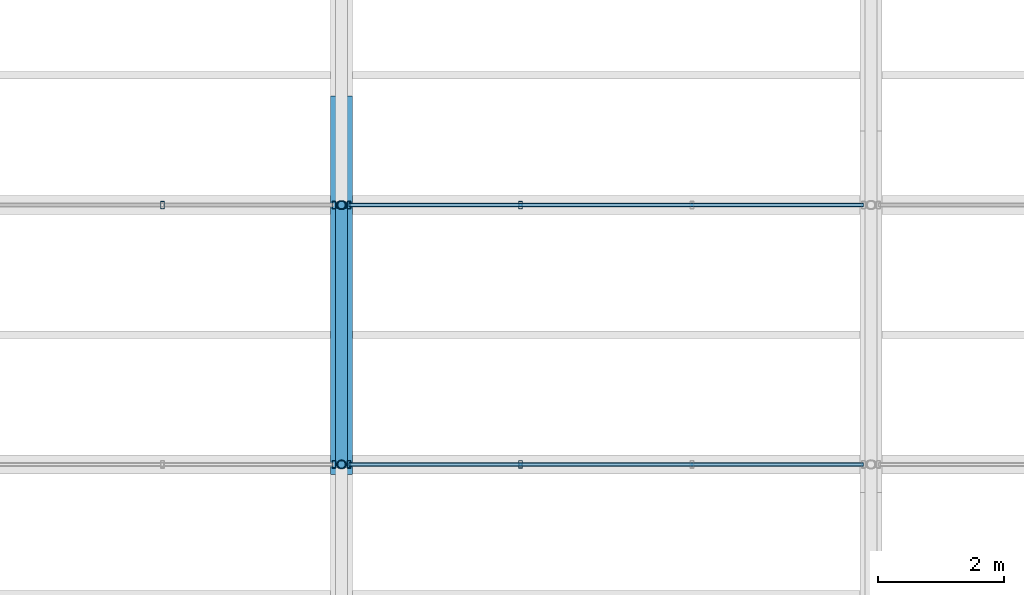
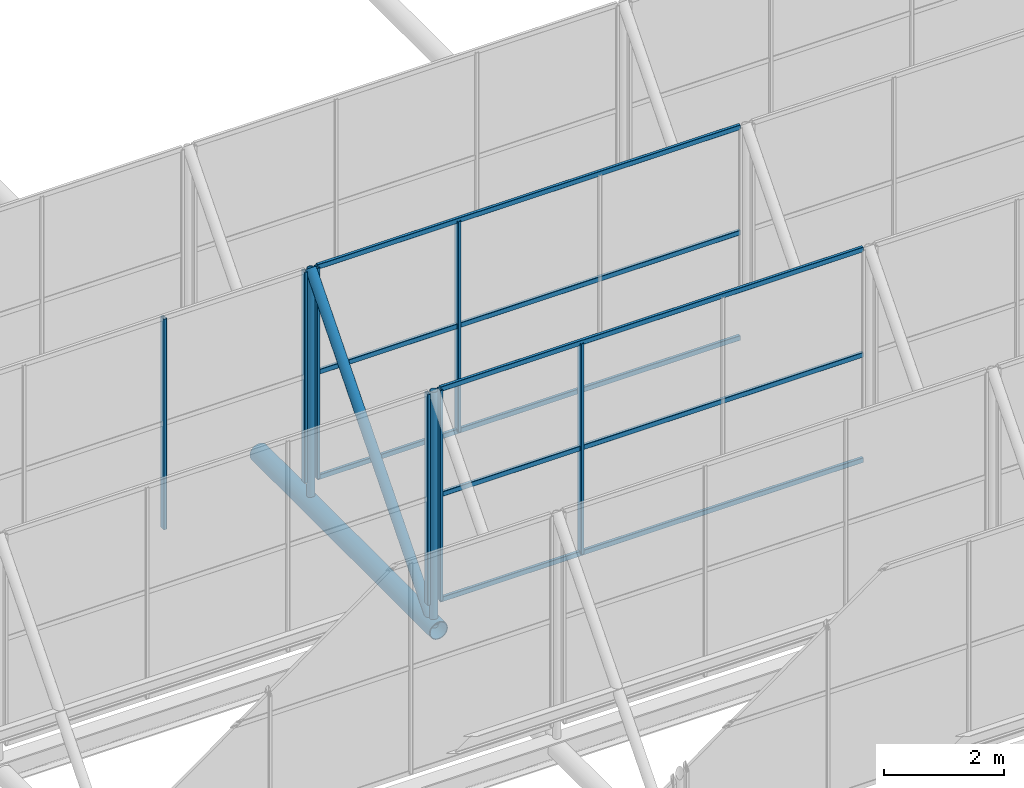
# One storey, part 35 of 77: 17 members, 4 elements without a shape of their own.
"""IFC4 building model written with IfcOpenShell, lengths in metres."""

from ifc_helpers import new_model, si_unit, derived_unit, direction, frame, origin, origin_2d, place, context, subcontext, project, spatial, hollow_rectangle, hollow_circle, extrude, material, material_profile, profile_set, type_object, element, aggregate, save


model = new_model("IFC4")

# Units and contexts
model_context = context("Model", 3, precision=1e-05, world=origin(), true_north=direction((0.0, 1.0)))
body_context = subcontext(model_context, "Body", "Model", "MODEL_VIEW")
ifc_project = project(units=[si_unit("LENGTHUNIT", "METRE"), si_unit("AREAUNIT", "SQUARE_METRE"), si_unit("VOLUMEUNIT", "CUBIC_METRE"), si_unit("PLANEANGLEUNIT", "RADIAN"), si_unit("MASSUNIT", "GRAM", prefix="KILO"), derived_unit("THERMALTRANSMITTANCEUNIT", [(si_unit("MASSUNIT", "GRAM", prefix="KILO"), 1), (si_unit("TIMEUNIT", "SECOND"), -3), (si_unit("THERMODYNAMICTEMPERATUREUNIT", "KELVIN"), -1)])], contexts=[model_context])

# Site, building, storey
site_placement = place(None, origin())
site = spatial("IfcSite", under=ifc_project, at=site_placement, CompositionType="ELEMENT")
building_placement = place(site_placement, origin())
building = spatial("IfcBuilding", under=site, at=building_placement, Name="Kharveza Railside Sports Centre", CompositionType="ELEMENT")
storey_placement = place(building_placement, frame((0.0, 0.0, 17.10009765625)))
storey = spatial("IfcBuildingStorey", under=building, at=storey_placement, Name="L04", CompositionType="ELEMENT", Elevation=17.10009765625)

# Curtain wall, member
ifc_material_1 = material(Name="Low-E solar-control laminated glass", Category="glass")
curtain_wall_type = type_object("IfcCurtainWallType", Name="CW-NL01", PredefinedType="NOTDEFINED", material=ifc_material_1)
curtain_wall_1_placement = place(storey_placement, origin())
curtain_wall_1 = element("IfcCurtainWall", 1, at=curtain_wall_1_placement, inside=storey, type_object=curtain_wall_type, Name="CW-V1NL-5-3", PredefinedType="NOTDEFINED")
ifc_material_2 = material(Name="Anodised aluminium 6063-T6", Category="aluminium")
ifc_material_profile_1 = material_profile(ifc_material_2, hollow_rectangle(XDim=0.06005859375, YDim=0.1201171875, WallThickness=0.0048828125, InnerFilletRadius=0.0048828125, OuterFilletRadius=0.010009765625, at=origin_2d()), Name="RHS 60x120x5.0")
ifc_profile_set_1 = profile_set([ifc_material_profile_1], Name="Anodised aluminium 6063-T6")
member_type_1 = type_object("IfcMemberType", Name="CW-ML05", PredefinedType="MULLION", material=ifc_profile_set_1)
member_1_placement = place(storey_placement, frame((58.679931640625, 56.5712890625, -0.550048828125), z_axis=(0.0, 0.0, 1.0), x_axis=(1.0, 0.0, 0.0)))
member_1 = element("IfcMember", 2, at=member_1_placement, type_object=member_type_1, Name="CW-V1NL-5-3-ML4", PredefinedType="MULLION", context=body_context, shape_type="SweptSolid", body=[
    extrude(hollow_rectangle(XDim=0.06005859375, YDim=0.1201171875, WallThickness=0.0048828125, InnerFilletRadius=0.0048828125, OuterFilletRadius=0.010009765625, at=origin_2d()), origin(), (0.0, 0.0, 1.0), 4.300048828125),
])
aggregate(curtain_wall_1, [member_1])

# Curtain wall, members
curtain_wall_2_placement = place(storey_placement, origin())
curtain_wall_2 = element("IfcCurtainWall", 3, at=curtain_wall_2_placement, inside=storey, type_object=curtain_wall_type, Name="CW-V1NL-5-4", PredefinedType="NOTDEFINED")
member_2_placement = place(storey_placement, frame((58.919921875, 56.5712890625, -0.550048828125), z_axis=(0.0, 0.0, 1.0), x_axis=(1.0, 0.0, 0.0)))
member_2 = element("IfcMember", 4, at=member_2_placement, type_object=member_type_1, Name="CW-V1NL-5-4-ML1", PredefinedType="MULLION", context=body_context, shape_type="SweptSolid", body=[
    extrude(hollow_rectangle(XDim=0.06005859375, YDim=0.1201171875, WallThickness=0.0048828125, InnerFilletRadius=0.0048828125, OuterFilletRadius=0.010009765625, at=origin_2d()), origin(), (0.0, 0.0, 1.0), 4.300048828125),
])
member_3_placement = place(storey_placement, frame((61.639892578125, 56.5712890625, -0.550048828125), z_axis=(0.0, 0.0, 1.0), x_axis=(1.0, 0.0, 0.0)))
member_3 = element("IfcMember", 5, at=member_3_placement, type_object=member_type_1, Name="CW-V1NL-5-4-ML2", PredefinedType="MULLION", context=body_context, shape_type="SweptSolid", body=[
    extrude(hollow_rectangle(XDim=0.06005859375, YDim=0.1201171875, WallThickness=0.0048828125, InnerFilletRadius=0.0048828125, OuterFilletRadius=0.010009765625, at=origin_2d()), origin(), (0.0, 0.0, 1.0), 4.300048828125),
])

curtain_wall_3_placement = place(storey_placement, origin())
curtain_wall_3 = element("IfcCurtainWall", 6, at=curtain_wall_3_placement, inside=storey, type_object=curtain_wall_type, Name="CW-V1NL-6-3", PredefinedType="NOTDEFINED")
member_4_placement = place(storey_placement, frame((55.9599609375, 60.685791015625, -0.550048828125), z_axis=(0.0, 0.0, 1.0), x_axis=(1.0, 0.0, 0.0)))
member_4 = element("IfcMember", 7, at=member_4_placement, type_object=member_type_1, Name="CW-V1NL-6-3-ML3", PredefinedType="MULLION", context=body_context, shape_type="SweptSolid", body=[
    extrude(hollow_rectangle(XDim=0.06005859375, YDim=0.1201171875, WallThickness=0.0048828125, InnerFilletRadius=0.0048828125, OuterFilletRadius=0.010009765625, at=origin_2d()), origin(), (0.0, 0.0, 1.0), 4.300048828125),
])
member_5_placement = place(storey_placement, frame((58.679931640625, 60.685791015625, -0.550048828125), z_axis=(0.0, 0.0, 1.0), x_axis=(1.0, 0.0, 0.0)))
member_5 = element("IfcMember", 8, at=member_5_placement, type_object=member_type_1, Name="CW-V1NL-6-3-ML4", PredefinedType="MULLION", context=body_context, shape_type="SweptSolid", body=[
    extrude(hollow_rectangle(XDim=0.06005859375, YDim=0.1201171875, WallThickness=0.0048828125, InnerFilletRadius=0.0048828125, OuterFilletRadius=0.010009765625, at=origin_2d()), origin(), (0.0, 0.0, 1.0), 4.300048828125),
])
aggregate(curtain_wall_3, [member_4, member_5])

curtain_wall_4_placement = place(storey_placement, origin())
curtain_wall_4 = element("IfcCurtainWall", 9, at=curtain_wall_4_placement, inside=storey, type_object=curtain_wall_type, Name="CW-V1NL-6-4", PredefinedType="NOTDEFINED")
member_6_placement = place(storey_placement, frame((58.919921875, 60.685791015625, -0.550048828125), z_axis=(0.0, 0.0, 1.0), x_axis=(1.0, 0.0, 0.0)))
member_6 = element("IfcMember", 10, at=member_6_placement, type_object=member_type_1, Name="CW-V1NL-6-4-ML1", PredefinedType="MULLION", context=body_context, shape_type="SweptSolid", body=[
    extrude(hollow_rectangle(XDim=0.06005859375, YDim=0.1201171875, WallThickness=0.0048828125, InnerFilletRadius=0.0048828125, OuterFilletRadius=0.010009765625, at=origin_2d()), origin(), (0.0, 0.0, 1.0), 4.300048828125),
])
member_7_placement = place(storey_placement, frame((61.639892578125, 60.685791015625, -0.550048828125), z_axis=(0.0, 0.0, 1.0), x_axis=(1.0, 0.0, 0.0)))
member_7 = element("IfcMember", 11, at=member_7_placement, type_object=member_type_1, Name="CW-V1NL-6-4-ML2", PredefinedType="MULLION", context=body_context, shape_type="SweptSolid", body=[
    extrude(hollow_rectangle(XDim=0.06005859375, YDim=0.1201171875, WallThickness=0.0048828125, InnerFilletRadius=0.0048828125, OuterFilletRadius=0.010009765625, at=origin_2d()), origin(), (0.0, 0.0, 1.0), 4.300048828125),
])

# Member
ifc_material_profile_2 = material_profile(ifc_material_2, hollow_rectangle(XDim=0.06005859375, YDim=0.10009765625, WallThickness=0.00390625, InnerFilletRadius=0.00390625, OuterFilletRadius=0.008056640625, at=origin_2d()), Name="RHS 60x100x4.0")
ifc_profile_set_2 = profile_set([ifc_material_profile_2], Name="Anodised aluminium 6063-T6")
member_type_2 = type_object("IfcMemberType", Name="CW-TR05", PredefinedType="USERDEFINED", material=ifc_profile_set_2)
member_8_placement = place(storey_placement, frame((58.919921875, 56.5712890625, -0.550048828125), z_axis=(1.0, 0.0, 0.0), x_axis=(0.0, 1.0, 0.0)))
member_8 = element("IfcMember", 12, at=member_8_placement, type_object=member_type_2, Name="CW-V1NL-5-4-TR1", ObjectType="TRANSOM", PredefinedType="USERDEFINED", context=body_context, shape_type="SweptSolid", body=[
    extrude(hollow_rectangle(XDim=0.06005859375, YDim=0.10009765625, WallThickness=0.00390625, InnerFilletRadius=0.00390625, OuterFilletRadius=0.008056640625, at=origin_2d()), origin(), (0.0, 0.0, 1.0), 8.16015625),
])

member_9_placement = place(storey_placement, frame((58.919921875, 56.5712890625, 1.599853515625), z_axis=(1.0, 0.0, 0.0), x_axis=(0.0, 1.0, 0.0)))
member_9 = element("IfcMember", 13, at=member_9_placement, type_object=member_type_2, Name="CW-V1NL-5-4-TR2", ObjectType="TRANSOM", PredefinedType="USERDEFINED", context=body_context, shape_type="SweptSolid", body=[
    extrude(hollow_rectangle(XDim=0.06005859375, YDim=0.10009765625, WallThickness=0.00390625, InnerFilletRadius=0.00390625, OuterFilletRadius=0.008056640625, at=origin_2d()), origin(), (0.0, 0.0, 1.0), 8.16015625),
])

member_10_placement = place(storey_placement, frame((58.919921875, 56.5712890625, 3.75), z_axis=(1.0, 0.0, 0.0), x_axis=(0.0, 1.0, 0.0)))
member_10 = element("IfcMember", 14, at=member_10_placement, type_object=member_type_2, Name="CW-V1NL-5-4-TR3", ObjectType="TRANSOM", PredefinedType="USERDEFINED", context=body_context, shape_type="SweptSolid", body=[
    extrude(hollow_rectangle(XDim=0.06005859375, YDim=0.10009765625, WallThickness=0.00390625, InnerFilletRadius=0.00390625, OuterFilletRadius=0.008056640625, at=origin_2d()), origin(), (0.0, 0.0, 1.0), 8.16015625),
])

aggregate(curtain_wall_2, [member_2, member_3, member_8, member_9, member_10])

member_11_placement = place(storey_placement, frame((58.919921875, 60.685791015625, -0.550048828125), z_axis=(1.0, 0.0, 0.0), x_axis=(0.0, 1.0, 0.0)))
member_11 = element("IfcMember", 15, at=member_11_placement, type_object=member_type_2, Name="CW-V1NL-6-4-TR1", ObjectType="TRANSOM", PredefinedType="USERDEFINED", context=body_context, shape_type="SweptSolid", body=[
    extrude(hollow_rectangle(XDim=0.06005859375, YDim=0.10009765625, WallThickness=0.00390625, InnerFilletRadius=0.00390625, OuterFilletRadius=0.008056640625, at=origin_2d()), origin(), (0.0, 0.0, 1.0), 8.16015625),
])

member_12_placement = place(storey_placement, frame((58.919921875, 60.685791015625, 1.599853515625), z_axis=(1.0, 0.0, 0.0), x_axis=(0.0, 1.0, 0.0)))
member_12 = element("IfcMember", 16, at=member_12_placement, type_object=member_type_2, Name="CW-V1NL-6-4-TR2", ObjectType="TRANSOM", PredefinedType="USERDEFINED", context=body_context, shape_type="SweptSolid", body=[
    extrude(hollow_rectangle(XDim=0.06005859375, YDim=0.10009765625, WallThickness=0.00390625, InnerFilletRadius=0.00390625, OuterFilletRadius=0.008056640625, at=origin_2d()), origin(), (0.0, 0.0, 1.0), 8.16015625),
])

member_13_placement = place(storey_placement, frame((58.919921875, 60.685791015625, 3.75), z_axis=(1.0, 0.0, 0.0), x_axis=(0.0, 1.0, 0.0)))
member_13 = element("IfcMember", 17, at=member_13_placement, type_object=member_type_2, Name="CW-V1NL-6-4-TR3", ObjectType="TRANSOM", PredefinedType="USERDEFINED", context=body_context, shape_type="SweptSolid", body=[
    extrude(hollow_rectangle(XDim=0.06005859375, YDim=0.10009765625, WallThickness=0.00390625, InnerFilletRadius=0.00390625, OuterFilletRadius=0.008056640625, at=origin_2d()), origin(), (0.0, 0.0, 1.0), 8.16015625),
])

aggregate(curtain_wall_4, [member_6, member_7, member_11, member_12, member_13])

# Members
ifc_material_3 = material(Name="Steel S355J2", Category="steel")
ifc_material_profile_3 = material_profile(ifc_material_3, hollow_circle(Radius=0.177734375, WallThickness=0.01611328125, at=origin_2d()), Name="CHS 355.6x16.0")
ifc_profile_set_3 = profile_set([ifc_material_profile_3], Name="Steel S355J2")
member_type_3 = type_object("IfcMemberType", Name="MB-CH01", PredefinedType="CHORD", material=ifc_profile_set_3)
member_14_placement = place(storey_placement, frame((58.800048828125, 56.40966796875, -1.050048828125), z_axis=(0.0, 1.0, 0.0), x_axis=(-1.0, 0.0, 0.0)))
element("IfcMember", 18, at=member_14_placement, inside=storey, type_object=member_type_3, Name="MB-V1TR-TC-4-6", PredefinedType="CHORD", context=body_context, shape_type="SweptSolid", body=[
    extrude(hollow_circle(Radius=0.177734375, WallThickness=0.01611328125, at=origin_2d()), origin(), (0.0, 0.0, 1.0), 6.009521484375),
])
ifc_material_profile_4 = material_profile(ifc_material_3, hollow_circle(Radius=0.096923828125, WallThickness=0.010009765625, at=origin_2d()), Name="CHS 193.7x10.0")
ifc_profile_set_4 = profile_set([ifc_material_profile_4], Name="Steel S355J2")
member_type_4 = type_object("IfcMemberType", Name="MB-ST02", PredefinedType="STRUT", material=ifc_profile_set_4)
member_15_placement = place(storey_placement, frame((58.800048828125, 56.5712890625, -1.050048828125), z_axis=(0.0, 0.65002553535, 0.759912365601), x_axis=(-1.0, 0.0, 0.0)))
element("IfcMember", 19, at=member_15_placement, inside=storey, type_object=member_type_4, Name="MB-V1SAW-RFT-6-4", PredefinedType="STRUT", context=body_context, shape_type="SweptSolid", body=[
    extrude(hollow_circle(Radius=0.096923828125, WallThickness=0.010009765625, at=origin_2d()), origin(), (0.0, 0.0, 1.0), 6.329833984375),
])
ifc_material_profile_5 = material_profile(ifc_material_3, hollow_circle(Radius=0.06982421875, WallThickness=0.008056640625, at=origin_2d()), Name="CHS 139.7x8.0")
ifc_profile_set_5 = profile_set([ifc_material_profile_5], Name="Steel S355J2")
member_type_5 = type_object("IfcMemberType", Name="MB-ST04", PredefinedType="STRUT", material=ifc_profile_set_5)
for number, where, z_axis, x_axis, name in (
    (20, (58.800048828125, 56.5712890625, -1.050048828125), (0.0, 0.0, 1.0), (1.0, 0.0, 0.0), "MB-V1SAW-PST-5-4"),
    (21, (58.800048828125, 60.685791015625, -1.050048828125), (0.0, 0.0, 1.0), (1.0, 0.0, 0.0), "MB-V1SAW-PST-6-4"),
):
    element("IfcMember", number, at=place(storey_placement, frame(where, z_axis=z_axis, x_axis=x_axis)), inside=storey, type_object=member_type_5, Name=name, PredefinedType="STRUT", context=body_context, shape_type="SweptSolid", body=[
        extrude(hollow_circle(Radius=0.06982421875, WallThickness=0.008056640625, at=origin_2d()), origin(), (0.0, 0.0, 1.0), 4.81005859375),
    ])

save(model, "model.ifc")
